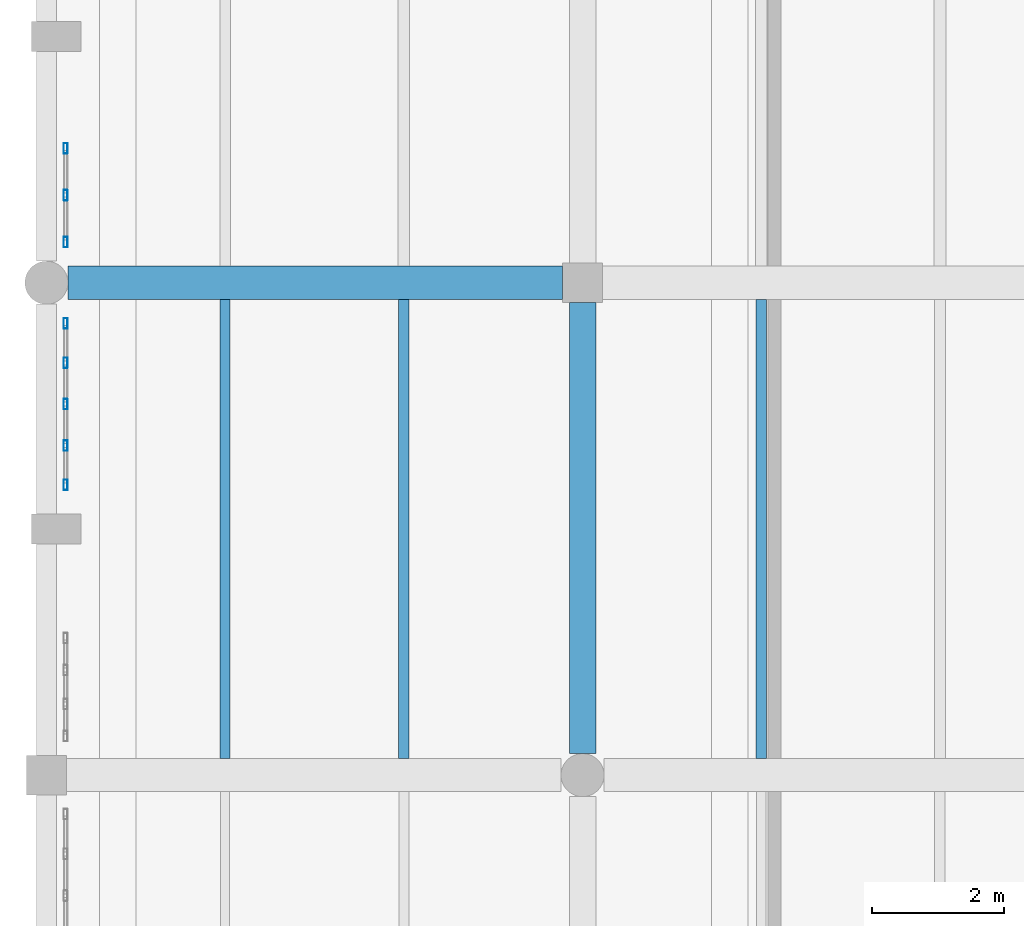
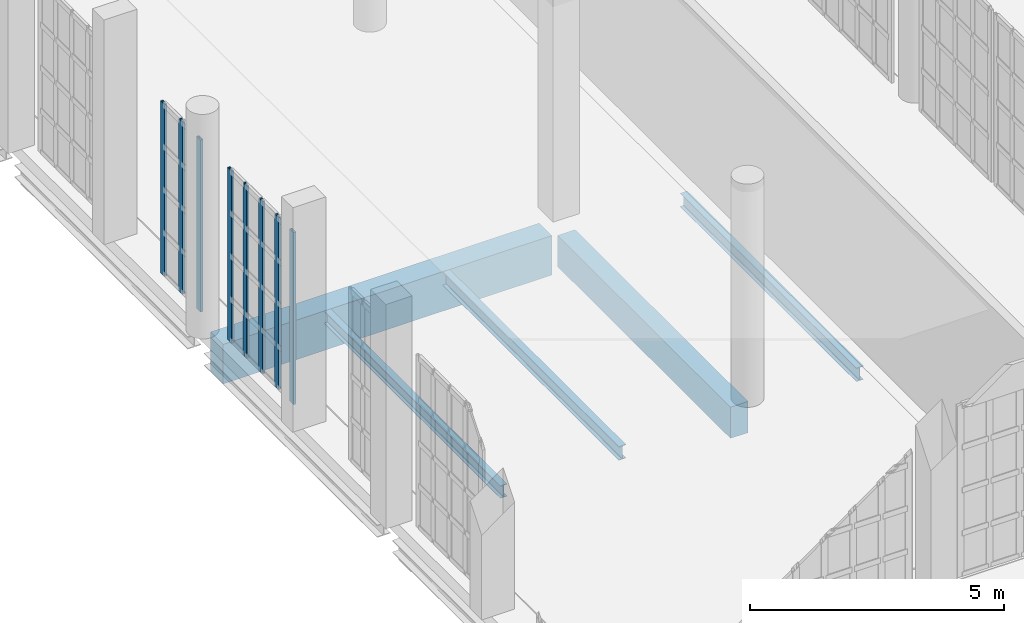
# One storey, part 65 of 372: 8 members, 5 beams, 2 elements without a shape of their own.
"""IFC4 building model written with IfcOpenShell, lengths in metres."""

from ifc_helpers import new_model, si_unit, direction, frame, origin, origin_2d, place, context, subcontext, project, spatial, rectangle, hollow_rectangle, i_section, extrude, material, material_profile, profile_set, type_object, element, aggregate, save


model = new_model("IFC4")

# Units and contexts
model_context = context("Model", 3, precision=1e-05, world=origin(), true_north=direction((0.0, 1.0)))
body_context = subcontext(model_context, "Body", "Model", "MODEL_VIEW")
ifc_project = project(units=[si_unit("LENGTHUNIT", "METRE"), si_unit("AREAUNIT", "SQUARE_METRE"), si_unit("VOLUMEUNIT", "CUBIC_METRE"), si_unit("PLANEANGLEUNIT", "RADIAN"), si_unit("MASSUNIT", "GRAM", prefix="KILO")], contexts=[model_context])

# Site, building, storey
site_placement = place(None, origin())
site = spatial("IfcSite", under=ifc_project, at=site_placement, CompositionType="ELEMENT")
building_placement = place(site_placement, origin())
building = spatial("IfcBuilding", under=site, at=building_placement, Name="Kaelora Sail Theatre", CompositionType="ELEMENT")
storey_placement = place(building_placement, origin())
storey = spatial("IfcBuildingStorey", under=building, at=storey_placement, Name="L00", CompositionType="ELEMENT", Elevation=0.0)

# Curtain wall, members
ifc_material_1 = material(Name="Anodised aluminium and solar-control low-E IGU", Category="aluminium")
curtain_wall_type = type_object("IfcCurtainWallType", Name="ARC-CW-CW-FOY1", PredefinedType="NOTDEFINED", material=ifc_material_1)
curtain_wall_1_placement = place(storey_placement, origin())
curtain_wall_1 = element("IfcCurtainWall", 1, at=curtain_wall_1_placement, inside=storey, type_object=curtain_wall_type, Name="Glazed Colonnade/Courtyard Curtain Wall COLW-W-L00-06", PredefinedType="NOTDEFINED")
ifc_material_2 = material(Name="Anodised aluminium 6063-T6", Category="aluminium")
ifc_material_profile_1 = material_profile(ifc_material_2, hollow_rectangle(XDim=0.06005859375, YDim=0.159912109375, WallThickness=0.00390625, InnerFilletRadius=0.00390625, OuterFilletRadius=0.008056640625, at=origin_2d()), Name="ALU-MULL 60x160x4")
ifc_profile_set_1 = profile_set([ifc_material_profile_1], Name="Anodised aluminium 6063-T6")
member_type = type_object("IfcMemberType", Name="ARC-MEM-ML-160", PredefinedType="MULLION", material=ifc_profile_set_1)
member_1_placement = place(storey_placement, frame((1.7900390625, 43.0849609375, 0.0), z_axis=(0.0, 0.0, 1.0), x_axis=(-1.0, 0.0, 0.0)))
member_1 = element("IfcMember", 2, at=member_1_placement, type_object=member_type, Name="CW-FOY1 mullion 1", PredefinedType="MULLION", context=body_context, shape_type="SweptSolid", body=[
    extrude(hollow_rectangle(XDim=0.06005859375, YDim=0.159912109375, WallThickness=0.00390625, InnerFilletRadius=0.00390625, OuterFilletRadius=0.008056640625, at=origin_2d()), origin(), (0.0, 0.0, 1.0), 4.136962890625),
])
member_2_placement = place(storey_placement, frame((1.7900390625, 43.679931640625, 0.0), z_axis=(0.0, 0.0, 1.0), x_axis=(-1.0, 0.0, 0.0)))
member_2 = element("IfcMember", 3, at=member_2_placement, type_object=member_type, Name="CW-FOY1 mullion 2", PredefinedType="MULLION", context=body_context, shape_type="SweptSolid", body=[
    extrude(hollow_rectangle(XDim=0.06005859375, YDim=0.159912109375, WallThickness=0.00390625, InnerFilletRadius=0.00390625, OuterFilletRadius=0.008056640625, at=origin_2d()), origin(), (0.0, 0.0, 1.0), 4.136962890625),
])
member_3_placement = place(storey_placement, frame((1.7900390625, 44.304931640625, 0.0), z_axis=(0.0, 0.0, 1.0), x_axis=(-1.0, 0.0, 0.0)))
member_3 = element("IfcMember", 4, at=member_3_placement, type_object=member_type, Name="CW-FOY1 mullion 3", PredefinedType="MULLION", context=body_context, shape_type="SweptSolid", body=[
    extrude(hollow_rectangle(XDim=0.06005859375, YDim=0.159912109375, WallThickness=0.00390625, InnerFilletRadius=0.00390625, OuterFilletRadius=0.008056640625, at=origin_2d()), origin(), (0.0, 0.0, 1.0), 4.136962890625),
])
member_4_placement = place(storey_placement, frame((1.7900390625, 44.929931640625, 0.0), z_axis=(0.0, 0.0, 1.0), x_axis=(-1.0, 0.0, 0.0)))
member_4 = element("IfcMember", 5, at=member_4_placement, type_object=member_type, Name="CW-FOY1 mullion 4", PredefinedType="MULLION", context=body_context, shape_type="SweptSolid", body=[
    extrude(hollow_rectangle(XDim=0.06005859375, YDim=0.159912109375, WallThickness=0.00390625, InnerFilletRadius=0.00390625, OuterFilletRadius=0.008056640625, at=origin_2d()), origin(), (0.0, 0.0, 1.0), 4.136962890625),
])
member_5_placement = place(storey_placement, frame((1.7900390625, 45.52490234375, 0.0), z_axis=(0.0, 0.0, 1.0), x_axis=(-1.0, 0.0, 0.0)))
member_5 = element("IfcMember", 6, at=member_5_placement, type_object=member_type, Name="CW-FOY1 mullion 5", PredefinedType="MULLION", context=body_context, shape_type="SweptSolid", body=[
    extrude(hollow_rectangle(XDim=0.06005859375, YDim=0.159912109375, WallThickness=0.00390625, InnerFilletRadius=0.00390625, OuterFilletRadius=0.008056640625, at=origin_2d()), origin(), (0.0, 0.0, 1.0), 4.136962890625),
])
aggregate(curtain_wall_1, [member_1, member_2, member_3, member_4, member_5])

curtain_wall_2_placement = place(storey_placement, origin())
curtain_wall_2 = element("IfcCurtainWall", 7, at=curtain_wall_2_placement, inside=storey, type_object=curtain_wall_type, Name="Glazed Colonnade/Courtyard Curtain Wall COLW-W-L00-07", PredefinedType="NOTDEFINED")
member_6_placement = place(storey_placement, frame((1.7900390625, 46.7548828125, 0.0), z_axis=(0.0, 0.0, 1.0), x_axis=(-1.0, 0.0, 0.0)))
member_6 = element("IfcMember", 8, at=member_6_placement, type_object=member_type, Name="CW-FOY1 mullion 1", PredefinedType="MULLION", context=body_context, shape_type="SweptSolid", body=[
    extrude(hollow_rectangle(XDim=0.06005859375, YDim=0.159912109375, WallThickness=0.00390625, InnerFilletRadius=0.00390625, OuterFilletRadius=0.008056640625, at=origin_2d()), origin(), (0.0, 0.0, 1.0), 4.136962890625),
])
member_7_placement = place(storey_placement, frame((1.7900390625, 47.46240234375, 0.0), z_axis=(0.0, 0.0, 1.0), x_axis=(-1.0, 0.0, 0.0)))
member_7 = element("IfcMember", 9, at=member_7_placement, type_object=member_type, Name="CW-FOY1 mullion 2", PredefinedType="MULLION", context=body_context, shape_type="SweptSolid", body=[
    extrude(hollow_rectangle(XDim=0.06005859375, YDim=0.159912109375, WallThickness=0.00390625, InnerFilletRadius=0.00390625, OuterFilletRadius=0.008056640625, at=origin_2d()), origin(), (0.0, 0.0, 1.0), 4.136962890625),
])
member_8_placement = place(storey_placement, frame((1.7900390625, 48.169921875, 0.0), z_axis=(0.0, 0.0, 1.0), x_axis=(-1.0, 0.0, 0.0)))
member_8 = element("IfcMember", 10, at=member_8_placement, type_object=member_type, Name="CW-FOY1 mullion 3", PredefinedType="MULLION", context=body_context, shape_type="SweptSolid", body=[
    extrude(hollow_rectangle(XDim=0.06005859375, YDim=0.159912109375, WallThickness=0.00390625, InnerFilletRadius=0.00390625, OuterFilletRadius=0.008056640625, at=origin_2d()), origin(), (0.0, 0.0, 1.0), 4.136962890625),
])
aggregate(curtain_wall_2, [member_6, member_7, member_8])

# Beams
ifc_material_3 = material(Name="Concrete C40/50", Category="concrete")
ifc_material_profile_2 = material_profile(ifc_material_3, rectangle(XDim=0.39990234375, YDim=0.75, at=origin_2d()), Name="RC-BM 400x750")
ifc_profile_set_2 = profile_set([ifc_material_profile_2], Name="Concrete C40/50")
beam_type_1 = type_object("IfcBeamType", Name="STR-BM-BM-RC4075", PredefinedType="BEAM", material=ifc_profile_set_2)
beam_1_placement = place(storey_placement, frame((9.60009765625, 39.02490234375, -0.695068359375), z_axis=(0.0, 1.0, 0.0), x_axis=(-1.0, 0.0, 0.0)))
element("IfcBeam", 11, at=beam_1_placement, inside=storey, type_object=beam_type_1, Name="Primary beam 2 F-G (L00)", PredefinedType="BEAM", context=body_context, shape_type="SweptSolid", body=[
    extrude(rectangle(XDim=0.39990234375, YDim=0.75, at=origin_2d()), origin(), (0.0, 0.0, 1.0), 6.815185546875),
])
ifc_material_4 = material(Name="Concrete C45/55", Category="concrete")
ifc_material_profile_3 = material_profile(ifc_material_4, rectangle(XDim=0.5, YDim=0.949951171875, at=origin_2d()), Name="RC-GRD 500x950")
ifc_profile_set_3 = profile_set([ifc_material_profile_3], Name="Concrete C45/55")
beam_type_2 = type_object("IfcBeamType", Name="STR-BM-GR-RC5095", PredefinedType="T_BEAM", material=ifc_profile_set_3)
beam_2_placement = place(storey_placement, frame((1.824951171875, 46.139892578125, -0.794921875), z_axis=(1.0, 0.0, 0.0), x_axis=(0.0, 1.0, 0.0)))
element("IfcBeam", 12, at=beam_2_placement, inside=storey, type_object=beam_type_2, Name="Primary beam G 1-2 (L00)", PredefinedType="T_BEAM", context=body_context, shape_type="SweptSolid", body=[
    extrude(rectangle(XDim=0.5, YDim=0.949951171875, at=origin_2d()), origin(), (0.0, 0.0, 1.0), 7.47509765625),
])
ifc_material_5 = material(Name="Steel S355", Category="steel")
ifc_material_profile_4 = material_profile(ifc_material_5, i_section(OverallWidth=0.14990234375, OverallDepth=0.300048828125, WebThickness=0.007080078125, FlangeThickness=0.0107421875, FilletRadius=0.014892578125, at=origin_2d()), Name="IPE 300")
ifc_profile_set_4 = profile_set([ifc_material_profile_4], Name="Steel S355")
beam_type_3 = type_object("IfcBeamType", Name="STR-BM-JS-IPE300", PredefinedType="JOIST", material=ifc_profile_set_4)
beam_3_placement = place(storey_placement, frame((4.199951171875, 38.949951171875, -0.469970703125), z_axis=(0.0, 1.0, 0.0), x_axis=(-1.0, 0.0, 0.0)))
element("IfcBeam", 13, at=beam_3_placement, inside=storey, type_object=beam_type_3, Name="Secondary floor joist 1/F-1 (L00)", PredefinedType="JOIST", context=body_context, shape_type="SweptSolid", body=[
    extrude(i_section(OverallWidth=0.14990234375, OverallDepth=0.300048828125, WebThickness=0.007080078125, FlangeThickness=0.0107421875, FilletRadius=0.014892578125, at=origin_2d()), origin(), (0.0, 0.0, 1.0), 6.93994140625),
])
ifc_material_6 = material(Name="Steel S355", Category="steel")
ifc_material_profile_5 = material_profile(ifc_material_6, i_section(OverallWidth=0.159912109375, OverallDepth=0.330078125, WebThickness=0.007568359375, FlangeThickness=0.011474609375, FilletRadius=0.01806640625, at=origin_2d()), Name="IPE 330")
ifc_profile_set_5 = profile_set([ifc_material_profile_5], Name="Steel S355")
beam_type_4 = type_object("IfcBeamType", Name="STR-BM-JS-IPE330", PredefinedType="JOIST", material=ifc_profile_set_5)
for number, where, z_axis, x_axis, name in (
    (14, (6.89990234375, 38.949951171875, -0.485107421875), (0.0, 1.0, 0.0), (-1.0, 0.0, 0.0), "Secondary floor joist 1/F-2 (L00)"),
    (15, (12.300048828125, 38.949951171875, -0.485107421875), (0.0, 1.0, 0.0), (-1.0, 0.0, 0.0), "Secondary floor joist 2/F-1 (L00)"),
):
    element("IfcBeam", number, at=place(storey_placement, frame(where, z_axis=z_axis, x_axis=x_axis)), inside=storey, type_object=beam_type_4, Name=name, PredefinedType="JOIST", context=body_context, shape_type="SweptSolid", body=[
        extrude(i_section(OverallWidth=0.159912109375, OverallDepth=0.330078125, WebThickness=0.007568359375, FlangeThickness=0.011474609375, FilletRadius=0.01806640625, at=origin_2d()), origin(), (0.0, 0.0, 1.0), 6.93994140625),
    ])

save(model, "model.ifc")
